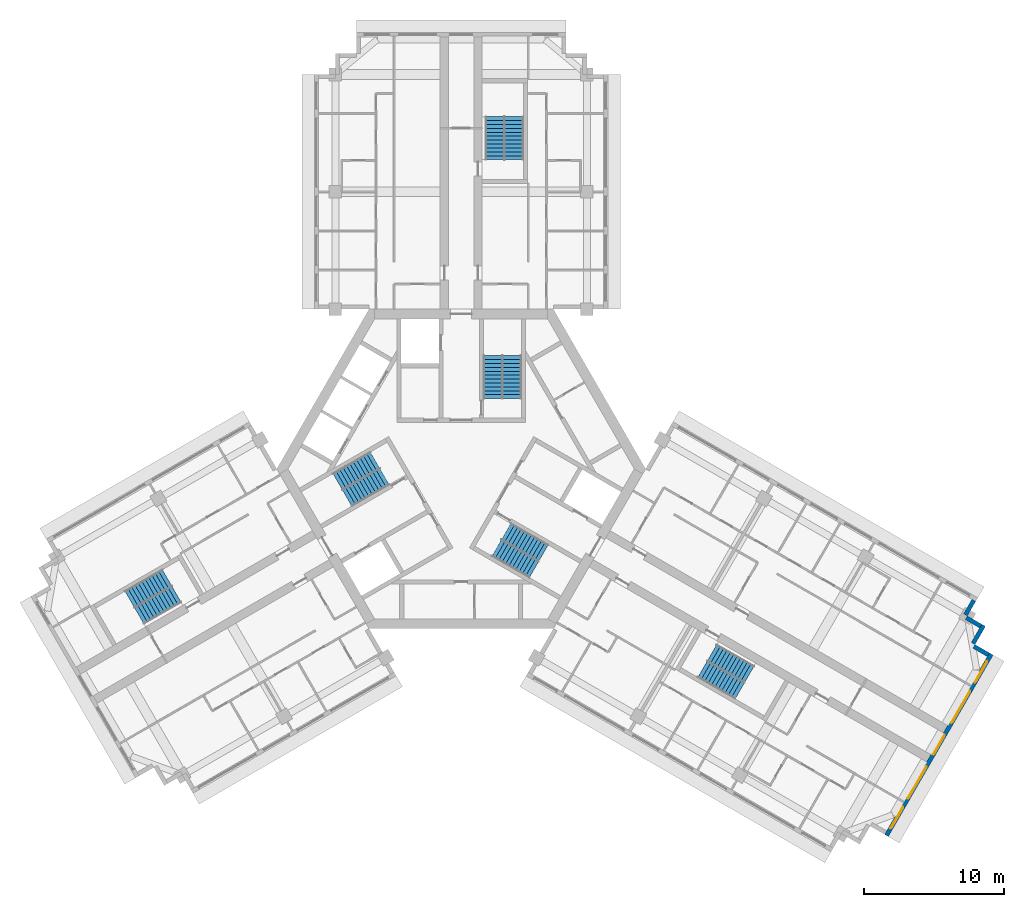
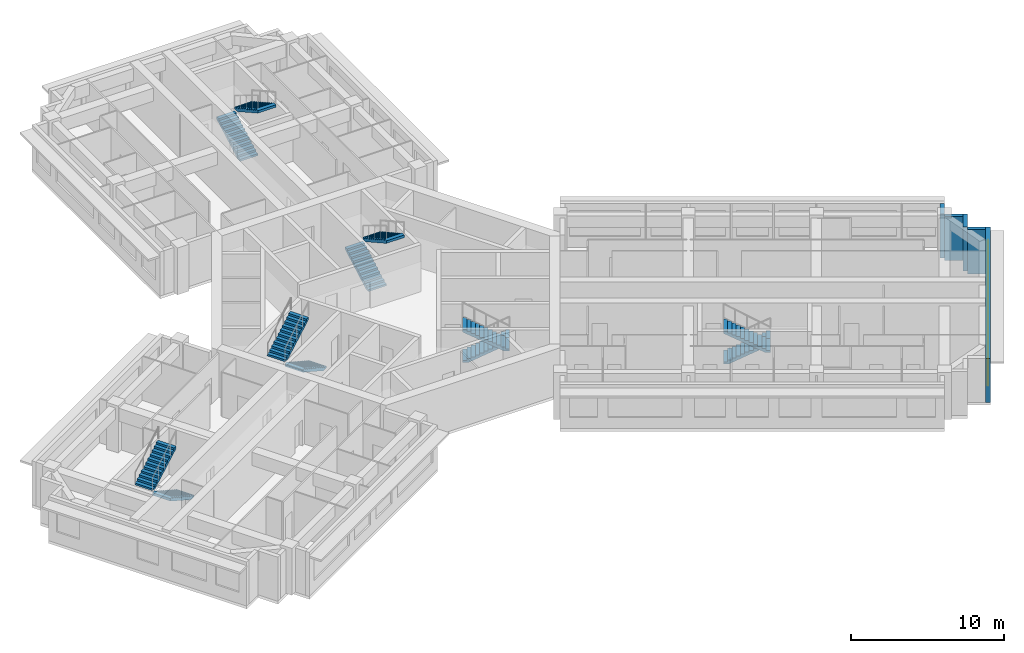
# One storey, part 9 of 10: 12 stair flights, 5 walls, 5 windows, 5 openings, 6 elements without a shape of their own.
"""IFC4 building model written with IfcOpenShell, lengths in metres."""

from ifc_helpers import new_model, si_unit, direction, frame, frame_2d, origin, place, context, subcontext, project, spatial, polyline, rectangle, outline, extrude, material, layer, layer_set, type_object, element, fill, aggregate, save


model = new_model("IFC4")

# Units and contexts
model_context = context("Model", 3, precision=1e-05, world=origin(), true_north=direction((0.0, 1.0)))
body_context = subcontext(model_context, "Body", "Model", "MODEL_VIEW")
ifc_project = project(units=[si_unit("LENGTHUNIT", "METRE"), si_unit("AREAUNIT", "SQUARE_METRE"), si_unit("VOLUMEUNIT", "CUBIC_METRE"), si_unit("PLANEANGLEUNIT", "RADIAN"), si_unit("MASSUNIT", "GRAM", prefix="KILO")], contexts=[model_context])

# Site, building, storey
site_placement = place(None, origin())
site = spatial("IfcSite", under=ifc_project, at=site_placement, CompositionType="ELEMENT")
building_placement = place(site_placement, origin())
building = spatial("IfcBuilding", under=site, at=building_placement, Name="Impinga Residences", CompositionType="ELEMENT")
storey_placement = place(building_placement, frame((0.0, 0.0, 241.0)))
storey = spatial("IfcBuildingStorey", under=building, at=storey_placement, Name="L60", CompositionType="ELEMENT", Elevation=241.0)

# Walls
ifc_material_1 = material(Name="Terracotta rainscreen on blockwork", Category="masonry")
ifc_layer = layer(ifc_material_1, 0.300048828125)
ifc_layer_set = layer_set([ifc_layer], Name="EW1 external wall, terracotta rainscreen on blockwork 300")
wall_type = type_object("IfcWallType", Name="EW1 external wall, terracotta rainscreen on blockwork 300", PredefinedType="SOLIDWALL", material=ifc_layer_set)
wall_1_placement = place(storey_placement, frame((36.69384765625, -9.4072265625, 0.0), z_axis=(0.0, 0.0, 1.0), x_axis=(-0.499880961361, -0.866094119867, 0.0)))
element("IfcWall", 1, at=wall_1_placement, inside=storey, type_object=wall_type, Name="External wall EW1 L60", PredefinedType="SOLIDWALL", context=body_context, shape_type="SweptSolid", body=[
    extrude(rectangle(XDim=1.199951171875, YDim=0.300048828125, at=frame_2d((0.60009765625, 0.0))), origin(), (0.0, 0.0, 1.0), 3.530029296875),
])
wall_2_placement = place(storey_placement, frame((36.153076171875, -10.654052734375, 0.0), z_axis=(0.0, 0.0, 1.0), x_axis=(0.866059708757, -0.499940577336, 0.0)))
element("IfcWall", 2, at=wall_2_placement, inside=storey, type_object=wall_type, Name="External wall EW1 L60", PredefinedType="SOLIDWALL", context=body_context, shape_type="SweptSolid", body=[
    extrude(rectangle(XDim=1.195068359375, YDim=0.300048828125, at=frame_2d((0.59765625, 0.0))), origin(), (0.0, 0.0, 1.0), 3.530029296875),
])
wall_3_placement = place(storey_placement, frame((37.39306640625, -11.196533203125, 0.0), z_axis=(0.0, 0.0, 1.0), x_axis=(-0.499990139034, -0.866031096941, 0.0)))
element("IfcWall", 3, at=wall_3_placement, inside=storey, type_object=wall_type, Name="External wall EW1 L60", PredefinedType="SOLIDWALL", context=body_context, shape_type="SweptSolid", body=[
    extrude(rectangle(XDim=1.5, YDim=0.300048828125, at=frame_2d((0.75, 0.0))), origin(), (0.0, 0.0, 1.0), 3.530029296875),
])
wall_4_placement = place(storey_placement, frame((36.7021484375, -12.702880859375, 0.0), z_axis=(0.0, 0.0, 1.0), x_axis=(0.865971243484, -0.500093796661, 0.0)))
element("IfcWall", 4, at=wall_4_placement, inside=storey, type_object=wall_type, Name="External wall EW1 L60", PredefinedType="SOLIDWALL", context=body_context, shape_type="SweptSolid", body=[
    extrude(rectangle(XDim=1.195068359375, YDim=0.300048828125, at=frame_2d((0.59765625, 0.0))), origin(), (0.0, 0.0, 1.0), 3.530029296875),
])

# Wall, openings, windows
wall_5_placement = place(storey_placement, frame((37.94189453125, -13.24560546875, 0.0), z_axis=(0.0, 0.0, 1.0), x_axis=(-0.500004234368, -0.866022959057, 0.0)))
wall_5 = element("IfcWall", 5, at=wall_5_placement, inside=storey, type_object=wall_type, Name="External wall EW1 L60", PredefinedType="SOLIDWALL", context=body_context, shape_type="SweptSolid", body=[
    extrude(rectangle(XDim=14.999755859375, YDim=0.300048828125, at=frame_2d((7.5, 0.0))), origin(), (0.0, 0.0, 1.0), 3.530029296875),
])
opening_1_placement = place(wall_5_placement, frame((0.60009765625, 0.0, 0.89990234375)))
opening_1 = element("IfcOpeningElement", 6, at=opening_1_placement, cuts=wall_5, Name="Opening W1", PredefinedType="OPENING", context=body_context, shape_type="SweptSolid", body=[
    extrude(rectangle(XDim=1.75, YDim=2.050048828125, at=frame_2d((0.875, 1.02490234375))), frame((0.0, 0.159912109375, 0.0), z_axis=(0.0, -1.0, 0.0), x_axis=(1.0, 0.0, 0.0)), (0.0, 0.0, 1.0), 0.320068359375),
])
opening_2_placement = place(wall_5_placement, frame((3.050048828125, 0.0, 0.89990234375)))
opening_2 = element("IfcOpeningElement", 7, at=opening_2_placement, cuts=wall_5, Name="Opening W18", PredefinedType="OPENING", context=body_context, shape_type="SweptSolid", body=[
    extrude(rectangle(XDim=2.64990234375, YDim=2.050048828125, at=frame_2d((1.324951171875, 1.02490234375))), frame((0.0, 0.159912109375, 0.0), z_axis=(0.0, -1.0, 0.0), x_axis=(1.0, 0.0, 0.0)), (0.0, 0.0, 1.0), 0.320068359375),
])
opening_3_placement = place(wall_5_placement, frame((6.699951171875, 0.0, 0.89990234375)))
opening_3 = element("IfcOpeningElement", 8, at=opening_3_placement, cuts=wall_5, Name="Opening W19", PredefinedType="OPENING", context=body_context, shape_type="SweptSolid", body=[
    extrude(rectangle(XDim=1.60009765625, YDim=2.050048828125, at=frame_2d((0.800048828125, 1.02490234375))), frame((0.0, 0.159912109375, 0.0), z_axis=(0.0, -1.0, 0.0), x_axis=(1.0, 0.0, 0.0)), (0.0, 0.0, 1.0), 0.320068359375),
])
opening_4_placement = place(wall_5_placement, frame((9.300048828125, 0.0, 0.89990234375)))
opening_4 = element("IfcOpeningElement", 9, at=opening_4_placement, cuts=wall_5, Name="Opening W18", PredefinedType="OPENING", context=body_context, shape_type="SweptSolid", body=[
    extrude(rectangle(XDim=2.64990234375, YDim=2.050048828125, at=frame_2d((1.324951171875, 1.02490234375))), frame((0.0, 0.159912109375, 0.0), z_axis=(0.0, -1.0, 0.0), x_axis=(1.0, 0.0, 0.0)), (0.0, 0.0, 1.0), 0.320068359375),
])
opening_5_placement = place(wall_5_placement, frame((12.64990234375, 0.0, 0.89990234375)))
opening_5 = element("IfcOpeningElement", 10, at=opening_5_placement, cuts=wall_5, Name="Opening W1", PredefinedType="OPENING", context=body_context, shape_type="SweptSolid", body=[
    extrude(rectangle(XDim=1.75, YDim=2.050048828125, at=frame_2d((0.875, 1.02490234375))), frame((0.0, 0.159912109375, 0.0), z_axis=(0.0, -1.0, 0.0), x_axis=(1.0, 0.0, 0.0)), (0.0, 0.0, 1.0), 0.320068359375),
])
ifc_material_2 = material(Name="Aluminium window, clear double glazing", Category="aluminium")
window_type_1 = type_object("IfcWindowType", Name="W1 ribbon window 1750x2050", PartitioningType="SINGLE_PANEL", PredefinedType="WINDOW", material=ifc_material_2)
window_1_placement = place(opening_1_placement, origin())
window_1 = element("IfcWindow", 11, at=window_1_placement, inside=storey, type_object=window_type_1, Name="Window L60", OverallHeight=2.050048828125, OverallWidth=1.75, PartitioningType="SINGLE_PANEL", PredefinedType="WINDOW", context=body_context, shape_type="SweptSolid", body=[
    extrude(rectangle(XDim=1.75, YDim=2.050048828125, at=frame_2d((0.875, 1.02490234375))), frame((0.0, 0.030029296875, 0.0), z_axis=(0.0, -1.0, 0.0), x_axis=(1.0, 0.0, 0.0)), (0.0, 0.0, 1.0), 0.06005859375),
])
fill(opening_1, window_1)
window_2_placement = place(opening_5_placement, origin())
window_2 = element("IfcWindow", 12, at=window_2_placement, inside=storey, type_object=window_type_1, Name="Window L60", OverallHeight=2.050048828125, OverallWidth=1.75, PartitioningType="SINGLE_PANEL", PredefinedType="WINDOW", context=body_context, shape_type="SweptSolid", body=[
    extrude(rectangle(XDim=1.75, YDim=2.050048828125, at=frame_2d((0.875, 1.02490234375))), frame((0.0, 0.030029296875, 0.0), z_axis=(0.0, -1.0, 0.0), x_axis=(1.0, 0.0, 0.0)), (0.0, 0.0, 1.0), 0.06005859375),
])
fill(opening_5, window_2)
window_type_2 = type_object("IfcWindowType", Name="W18 ribbon window 2650x2050", PartitioningType="SINGLE_PANEL", PredefinedType="WINDOW", material=ifc_material_2)
window_3_placement = place(opening_2_placement, origin())
window_3 = element("IfcWindow", 13, at=window_3_placement, inside=storey, type_object=window_type_2, Name="Window L60", OverallHeight=2.050048828125, OverallWidth=2.64990234375, PartitioningType="SINGLE_PANEL", PredefinedType="WINDOW", context=body_context, shape_type="SweptSolid", body=[
    extrude(rectangle(XDim=2.64990234375, YDim=2.050048828125, at=frame_2d((1.324951171875, 1.02490234375))), frame((0.0, 0.030029296875, 0.0), z_axis=(0.0, -1.0, 0.0), x_axis=(1.0, 0.0, 0.0)), (0.0, 0.0, 1.0), 0.06005859375),
])
fill(opening_2, window_3)
window_4_placement = place(opening_4_placement, origin())
window_4 = element("IfcWindow", 14, at=window_4_placement, inside=storey, type_object=window_type_2, Name="Window L60", OverallHeight=2.050048828125, OverallWidth=2.64990234375, PartitioningType="SINGLE_PANEL", PredefinedType="WINDOW", context=body_context, shape_type="SweptSolid", body=[
    extrude(rectangle(XDim=2.64990234375, YDim=2.050048828125, at=frame_2d((1.324951171875, 1.02490234375))), frame((0.0, 0.030029296875, 0.0), z_axis=(0.0, -1.0, 0.0), x_axis=(1.0, 0.0, 0.0)), (0.0, 0.0, 1.0), 0.06005859375),
])
fill(opening_4, window_4)
window_type_3 = type_object("IfcWindowType", Name="W19 ribbon window 1600x2050", PartitioningType="SINGLE_PANEL", PredefinedType="WINDOW", material=ifc_material_2)
window_5_placement = place(opening_3_placement, origin())
window_5 = element("IfcWindow", 15, at=window_5_placement, inside=storey, type_object=window_type_3, Name="Window L60", OverallHeight=2.050048828125, OverallWidth=1.60009765625, PartitioningType="SINGLE_PANEL", PredefinedType="WINDOW", context=body_context, shape_type="SweptSolid", body=[
    extrude(rectangle(XDim=1.60009765625, YDim=2.050048828125, at=frame_2d((0.800048828125, 1.02490234375))), frame((0.0, 0.030029296875, 0.0), z_axis=(0.0, -1.0, 0.0), x_axis=(1.0, 0.0, 0.0)), (0.0, 0.0, 1.0), 0.06005859375),
])
fill(opening_3, window_5)

# Stair, stair flights
ifc_material_3 = material(Name="Concrete C40/50", Category="concrete")
stair_type_1 = type_object("IfcStairType", Name="STR core stair 3750 storey, 24 risers", PredefinedType="HALF_TURN_STAIR", material=ifc_material_3)
stair_1_placement = place(storey_placement, origin())
stair_1 = element("IfcStair", 16, at=stair_1_placement, inside=storey, type_object=stair_type_1, Name="Stair ST1 L60", PredefinedType="HALF_TURN_STAIR")
stair_flight_type = type_object("IfcStairFlightType", Name="SF 12 risers of 156", PredefinedType="STRAIGHT", material=ifc_material_3)
stair_flight_1_placement = place(storey_placement, frame((2.27490234375, 5.030029296875, 0.0), z_axis=(0.0, 0.0, 1.0), x_axis=(0.0, 1.0, 0.0)))
stair_flight_1 = element("IfcStairFlight", 17, at=stair_flight_1_placement, type_object=stair_flight_type, Name="ST1 flight 1", NumberOfRisers=12, NumberOfTreads=11, PredefinedType="STRAIGHT", RiserHeight=0.15625, TreadLength=0.28, context=body_context, shape_type="SweptSolid", body=[
    extrude(outline(polyline([(0.0, 0.0), (0.0, 0.15625), (0.280029296875, 0.15625), (0.280029296875, 0.3125), (0.56005859375, 0.3125), (0.56005859375, 0.46875), (0.840087890625, 0.46875), (0.840087890625, 0.625), (1.1201171875, 0.625), (1.1201171875, 0.78125), (1.39990234375, 0.78125), (1.39990234375, 0.9375), (1.679931640625, 0.9375), (1.679931640625, 1.09375), (1.9599609375, 1.09375), (1.9599609375, 1.25), (2.239990234375, 1.25), (2.239990234375, 1.40625), (2.52001953125, 1.40625), (2.52001953125, 1.5625), (2.800048828125, 1.5625), (2.800048828125, 1.71875), (3.080078125, 1.71875), (3.080078125, 1.875), (3.080078125, 1.5126953125), (0.369140625, 0.0), (0.0, 0.0)])), frame((0.0, 0.675048828125, 0.0), z_axis=(0.0, -1.0, 0.0), x_axis=(1.0, 0.0, 0.0)), (0.0, 0.0, 1.0), 1.35009765625),
])
stair_flight_2_placement = place(storey_placement, frame((3.625, 8.110107421875, 1.875), z_axis=(0.0, 0.0, 1.0), x_axis=(0.0, -1.0, 0.0)))
stair_flight_2 = element("IfcStairFlight", 18, at=stair_flight_2_placement, type_object=stair_flight_type, Name="ST1 flight 2", NumberOfRisers=12, NumberOfTreads=11, PredefinedType="STRAIGHT", RiserHeight=0.15625, TreadLength=0.28, context=body_context, shape_type="SweptSolid", body=[
    extrude(outline(polyline([(0.0, 0.0), (0.0, 0.15625), (0.280029296875, 0.15625), (0.280029296875, 0.3125), (0.56005859375, 0.3125), (0.56005859375, 0.46875), (0.840087890625, 0.46875), (0.840087890625, 0.625), (1.1201171875, 0.625), (1.1201171875, 0.78125), (1.39990234375, 0.78125), (1.39990234375, 0.9375), (1.679931640625, 0.9375), (1.679931640625, 1.09375), (1.9599609375, 1.09375), (1.9599609375, 1.25), (2.239990234375, 1.25), (2.239990234375, 1.40625), (2.52001953125, 1.40625), (2.52001953125, 1.5625), (2.800048828125, 1.5625), (2.800048828125, 1.71875), (3.080078125, 1.71875), (3.080078125, 1.875), (3.080078125, 1.5126953125), (0.369140625, 0.0), (0.0, 0.0)])), frame((0.0, 0.675048828125, 0.0), z_axis=(0.0, -1.0, 0.0), x_axis=(1.0, 0.0, 0.0)), (0.0, 0.0, 1.0), 1.35009765625),
])
aggregate(stair_1, [stair_flight_1, stair_flight_2])

stair_2_placement = place(storey_placement, origin())
stair_2 = element("IfcStair", 19, at=stair_2_placement, inside=storey, type_object=stair_type_1, Name="Stair ST2 L60", PredefinedType="HALF_TURN_STAIR")
stair_flight_3_placement = place(storey_placement, frame((-5.49365234375, -0.544677734375, 0.0), z_axis=(0.0, 0.0, 1.0), x_axis=(-0.866025403784, -0.5, 0.0)))
stair_flight_3 = element("IfcStairFlight", 20, at=stair_flight_3_placement, type_object=stair_flight_type, Name="ST2 flight 1", NumberOfRisers=12, NumberOfTreads=11, PredefinedType="STRAIGHT", RiserHeight=0.15625, TreadLength=0.28, context=body_context, shape_type="SweptSolid", body=[
    extrude(outline(polyline([(0.0, 0.0), (0.0, 0.15625), (0.280029296875, 0.15625), (0.280029296875, 0.3125), (0.56005859375, 0.3125), (0.56005859375, 0.46875), (0.840087890625, 0.46875), (0.840087890625, 0.625), (1.1201171875, 0.625), (1.1201171875, 0.78125), (1.39990234375, 0.78125), (1.39990234375, 0.9375), (1.679931640625, 0.9375), (1.679931640625, 1.09375), (1.9599609375, 1.09375), (1.9599609375, 1.25), (2.239990234375, 1.25), (2.239990234375, 1.40625), (2.52001953125, 1.40625), (2.52001953125, 1.5625), (2.800048828125, 1.5625), (2.800048828125, 1.71875), (3.080078125, 1.71875), (3.080078125, 1.875), (3.080078125, 1.5126953125), (0.369140625, 0.0), (0.0, 0.0)])), frame((0.0, 0.675048828125, 0.0), z_axis=(0.0, -1.0, 0.0), x_axis=(1.0, 0.0, 0.0)), (0.0, 0.0, 1.0), 1.35009765625),
])
stair_flight_4_placement = place(storey_placement, frame((-8.8359375, -0.915771484375, 1.875), z_axis=(0.0, 0.0, 1.0), x_axis=(0.866025403784, 0.5, 0.0)))
stair_flight_4 = element("IfcStairFlight", 21, at=stair_flight_4_placement, type_object=stair_flight_type, Name="ST2 flight 2", NumberOfRisers=12, NumberOfTreads=11, PredefinedType="STRAIGHT", RiserHeight=0.15625, TreadLength=0.28, context=body_context, shape_type="SweptSolid", body=[
    extrude(outline(polyline([(0.0, 0.0), (0.0, 0.15625), (0.280029296875, 0.15625), (0.280029296875, 0.3125), (0.56005859375, 0.3125), (0.56005859375, 0.46875), (0.840087890625, 0.46875), (0.840087890625, 0.625), (1.1201171875, 0.625), (1.1201171875, 0.78125), (1.39990234375, 0.78125), (1.39990234375, 0.9375), (1.679931640625, 0.9375), (1.679931640625, 1.09375), (1.9599609375, 1.09375), (1.9599609375, 1.25), (2.239990234375, 1.25), (2.239990234375, 1.40625), (2.52001953125, 1.40625), (2.52001953125, 1.5625), (2.800048828125, 1.5625), (2.800048828125, 1.71875), (3.080078125, 1.71875), (3.080078125, 1.875), (3.080078125, 1.5126953125), (0.369140625, 0.0), (0.0, 0.0)])), frame((0.0, 0.675048828125, 0.0), z_axis=(0.0, -1.0, 0.0), x_axis=(1.0, 0.0, 0.0)), (0.0, 0.0, 1.0), 1.35009765625),
])
aggregate(stair_2, [stair_flight_3, stair_flight_4])

stair_3_placement = place(storey_placement, origin())
stair_3 = element("IfcStair", 22, at=stair_3_placement, inside=storey, type_object=stair_type_1, Name="Stair ST3 L60", PredefinedType="HALF_TURN_STAIR")
stair_flight_5_placement = place(storey_placement, frame((3.218505859375, -4.485107421875, 0.0), z_axis=(0.0, 0.0, 1.0), x_axis=(0.866025403784, -0.5, 0.0)))
stair_flight_5 = element("IfcStairFlight", 23, at=stair_flight_5_placement, type_object=stair_flight_type, Name="ST3 flight 1", NumberOfRisers=12, NumberOfTreads=11, PredefinedType="STRAIGHT", RiserHeight=0.15625, TreadLength=0.28, context=body_context, shape_type="SweptSolid", body=[
    extrude(outline(polyline([(0.0, 0.0), (0.0, 0.15625), (0.280029296875, 0.15625), (0.280029296875, 0.3125), (0.56005859375, 0.3125), (0.56005859375, 0.46875), (0.840087890625, 0.46875), (0.840087890625, 0.625), (1.1201171875, 0.625), (1.1201171875, 0.78125), (1.39990234375, 0.78125), (1.39990234375, 0.9375), (1.679931640625, 0.9375), (1.679931640625, 1.09375), (1.9599609375, 1.09375), (1.9599609375, 1.25), (2.239990234375, 1.25), (2.239990234375, 1.40625), (2.52001953125, 1.40625), (2.52001953125, 1.5625), (2.800048828125, 1.5625), (2.800048828125, 1.71875), (3.080078125, 1.71875), (3.080078125, 1.875), (3.080078125, 1.5126953125), (0.369140625, 0.0), (0.0, 0.0)])), frame((0.0, 0.675048828125, 0.0), z_axis=(0.0, -1.0, 0.0), x_axis=(1.0, 0.0, 0.0)), (0.0, 0.0, 1.0), 1.35009765625),
])
stair_flight_6_placement = place(storey_placement, frame((5.2109375, -7.1943359375, 1.875), z_axis=(0.0, 0.0, 1.0), x_axis=(-0.866025403784, 0.5, 0.0)))
stair_flight_6 = element("IfcStairFlight", 24, at=stair_flight_6_placement, type_object=stair_flight_type, Name="ST3 flight 2", NumberOfRisers=12, NumberOfTreads=11, PredefinedType="STRAIGHT", RiserHeight=0.15625, TreadLength=0.28, context=body_context, shape_type="SweptSolid", body=[
    extrude(outline(polyline([(0.0, 0.0), (0.0, 0.15625), (0.280029296875, 0.15625), (0.280029296875, 0.3125), (0.56005859375, 0.3125), (0.56005859375, 0.46875), (0.840087890625, 0.46875), (0.840087890625, 0.625), (1.1201171875, 0.625), (1.1201171875, 0.78125), (1.39990234375, 0.78125), (1.39990234375, 0.9375), (1.679931640625, 0.9375), (1.679931640625, 1.09375), (1.9599609375, 1.09375), (1.9599609375, 1.25), (2.239990234375, 1.25), (2.239990234375, 1.40625), (2.52001953125, 1.40625), (2.52001953125, 1.5625), (2.800048828125, 1.5625), (2.800048828125, 1.71875), (3.080078125, 1.71875), (3.080078125, 1.875), (3.080078125, 1.5126953125), (0.369140625, 0.0), (0.0, 0.0)])), frame((0.0, 0.675048828125, 0.0), z_axis=(0.0, -1.0, 0.0), x_axis=(1.0, 0.0, 0.0)), (0.0, 0.0, 1.0), 1.35009765625),
])
aggregate(stair_3, [stair_flight_5, stair_flight_6])

stair_type_2 = type_object("IfcStairType", Name="STR wing stair 3750 storey, 24 risers", PredefinedType="HALF_TURN_STAIR", material=ifc_material_3)
stair_4_placement = place(storey_placement, origin())
stair_4 = element("IfcStair", 25, at=stair_4_placement, inside=storey, type_object=stair_type_2, Name="Stair WS1 L60", PredefinedType="HALF_TURN_STAIR")
stair_flight_7_placement = place(storey_placement, frame((2.425048828125, 22.131591796875, 0.0), z_axis=(0.0, 0.0, 1.0), x_axis=(0.0, 1.0, 0.0)))
stair_flight_7 = element("IfcStairFlight", 26, at=stair_flight_7_placement, type_object=stair_flight_type, Name="WS1 flight 1", NumberOfRisers=12, NumberOfTreads=11, PredefinedType="STRAIGHT", RiserHeight=0.15625, TreadLength=0.28, context=body_context, shape_type="SweptSolid", body=[
    extrude(outline(polyline([(0.0, 0.0), (0.0, 0.15625), (0.280029296875, 0.15625), (0.280029296875, 0.3125), (0.56005859375, 0.3125), (0.56005859375, 0.46875), (0.840087890625, 0.46875), (0.840087890625, 0.625), (1.1201171875, 0.625), (1.1201171875, 0.78125), (1.39990234375, 0.78125), (1.39990234375, 0.9375), (1.679931640625, 0.9375), (1.679931640625, 1.09375), (1.9599609375, 1.09375), (1.9599609375, 1.25), (2.239990234375, 1.25), (2.239990234375, 1.40625), (2.52001953125, 1.40625), (2.52001953125, 1.5625), (2.800048828125, 1.5625), (2.800048828125, 1.71875), (3.080078125, 1.71875), (3.080078125, 1.875), (3.080078125, 1.5126953125), (0.369140625, 0.0), (0.0, 0.0)])), frame((0.0, 0.675048828125, 0.0), z_axis=(0.0, -1.0, 0.0), x_axis=(1.0, 0.0, 0.0)), (0.0, 0.0, 1.0), 1.35009765625),
])
stair_flight_8_placement = place(storey_placement, frame((3.77490234375, 25.21142578125, 1.875), z_axis=(0.0, 0.0, 1.0), x_axis=(0.0, -1.0, 0.0)))
stair_flight_8 = element("IfcStairFlight", 27, at=stair_flight_8_placement, type_object=stair_flight_type, Name="WS1 flight 2", NumberOfRisers=12, NumberOfTreads=11, PredefinedType="STRAIGHT", RiserHeight=0.15625, TreadLength=0.28, context=body_context, shape_type="SweptSolid", body=[
    extrude(outline(polyline([(0.0, 0.0), (0.0, 0.15625), (0.280029296875, 0.15625), (0.280029296875, 0.3125), (0.56005859375, 0.3125), (0.56005859375, 0.46875), (0.840087890625, 0.46875), (0.840087890625, 0.625), (1.1201171875, 0.625), (1.1201171875, 0.78125), (1.39990234375, 0.78125), (1.39990234375, 0.9375), (1.679931640625, 0.9375), (1.679931640625, 1.09375), (1.9599609375, 1.09375), (1.9599609375, 1.25), (2.239990234375, 1.25), (2.239990234375, 1.40625), (2.52001953125, 1.40625), (2.52001953125, 1.5625), (2.800048828125, 1.5625), (2.800048828125, 1.71875), (3.080078125, 1.71875), (3.080078125, 1.875), (3.080078125, 1.5126953125), (0.369140625, 0.0), (0.0, 0.0)])), frame((0.0, 0.675048828125, 0.0), z_axis=(0.0, -1.0, 0.0), x_axis=(1.0, 0.0, 0.0)), (0.0, 0.0, 1.0), 1.35009765625),
])
aggregate(stair_4, [stair_flight_7, stair_flight_8])

stair_5_placement = place(storey_placement, origin())
stair_5 = element("IfcStair", 28, at=stair_5_placement, inside=storey, type_object=stair_type_2, Name="Stair WS2 L60", PredefinedType="HALF_TURN_STAIR")
stair_flight_9_placement = place(storey_placement, frame((-20.37890625, -8.965576171875, 0.0), z_axis=(0.0, 0.0, 1.0), x_axis=(-0.866025403784, -0.5, 0.0)))
stair_flight_9 = element("IfcStairFlight", 29, at=stair_flight_9_placement, type_object=stair_flight_type, Name="WS2 flight 1", NumberOfRisers=12, NumberOfTreads=11, PredefinedType="STRAIGHT", RiserHeight=0.15625, TreadLength=0.28, context=body_context, shape_type="SweptSolid", body=[
    extrude(outline(polyline([(0.0, 0.0), (0.0, 0.15625), (0.280029296875, 0.15625), (0.280029296875, 0.3125), (0.56005859375, 0.3125), (0.56005859375, 0.46875), (0.840087890625, 0.46875), (0.840087890625, 0.625), (1.1201171875, 0.625), (1.1201171875, 0.78125), (1.39990234375, 0.78125), (1.39990234375, 0.9375), (1.679931640625, 0.9375), (1.679931640625, 1.09375), (1.9599609375, 1.09375), (1.9599609375, 1.25), (2.239990234375, 1.25), (2.239990234375, 1.40625), (2.52001953125, 1.40625), (2.52001953125, 1.5625), (2.800048828125, 1.5625), (2.800048828125, 1.71875), (3.080078125, 1.71875), (3.080078125, 1.875), (3.080078125, 1.5126953125), (0.369140625, 0.0), (0.0, 0.0)])), frame((0.0, 0.675048828125, 0.0), z_axis=(0.0, -1.0, 0.0), x_axis=(1.0, 0.0, 0.0)), (0.0, 0.0, 1.0), 1.35009765625),
])
stair_flight_10_placement = place(storey_placement, frame((-23.721435546875, -9.33642578125, 1.875), z_axis=(0.0, 0.0, 1.0), x_axis=(0.866025403784, 0.5, 0.0)))
stair_flight_10 = element("IfcStairFlight", 30, at=stair_flight_10_placement, type_object=stair_flight_type, Name="WS2 flight 2", NumberOfRisers=12, NumberOfTreads=11, PredefinedType="STRAIGHT", RiserHeight=0.15625, TreadLength=0.28, context=body_context, shape_type="SweptSolid", body=[
    extrude(outline(polyline([(0.0, 0.0), (0.0, 0.15625), (0.280029296875, 0.15625), (0.280029296875, 0.3125), (0.56005859375, 0.3125), (0.56005859375, 0.46875), (0.840087890625, 0.46875), (0.840087890625, 0.625), (1.1201171875, 0.625), (1.1201171875, 0.78125), (1.39990234375, 0.78125), (1.39990234375, 0.9375), (1.679931640625, 0.9375), (1.679931640625, 1.09375), (1.9599609375, 1.09375), (1.9599609375, 1.25), (2.239990234375, 1.25), (2.239990234375, 1.40625), (2.52001953125, 1.40625), (2.52001953125, 1.5625), (2.800048828125, 1.5625), (2.800048828125, 1.71875), (3.080078125, 1.71875), (3.080078125, 1.875), (3.080078125, 1.5126953125), (0.369140625, 0.0), (0.0, 0.0)])), frame((0.0, 0.675048828125, 0.0), z_axis=(0.0, -1.0, 0.0), x_axis=(1.0, 0.0, 0.0)), (0.0, 0.0, 1.0), 1.35009765625),
])
aggregate(stair_5, [stair_flight_9, stair_flight_10])

stair_6_placement = place(storey_placement, origin())
stair_6 = element("IfcStair", 31, at=stair_6_placement, inside=storey, type_object=stair_type_2, Name="Stair WS3 L60", PredefinedType="HALF_TURN_STAIR")
stair_flight_11_placement = place(storey_placement, frame((17.953857421875, -13.165771484375, 0.0), z_axis=(0.0, 0.0, 1.0), x_axis=(0.866025403784, -0.5, 0.0)))
stair_flight_11 = element("IfcStairFlight", 32, at=stair_flight_11_placement, type_object=stair_flight_type, Name="WS3 flight 1", NumberOfRisers=12, NumberOfTreads=11, PredefinedType="STRAIGHT", RiserHeight=0.15625, TreadLength=0.28, context=body_context, shape_type="SweptSolid", body=[
    extrude(outline(polyline([(0.0, 0.0), (0.0, 0.15625), (0.280029296875, 0.15625), (0.280029296875, 0.3125), (0.56005859375, 0.3125), (0.56005859375, 0.46875), (0.840087890625, 0.46875), (0.840087890625, 0.625), (1.1201171875, 0.625), (1.1201171875, 0.78125), (1.39990234375, 0.78125), (1.39990234375, 0.9375), (1.679931640625, 0.9375), (1.679931640625, 1.09375), (1.9599609375, 1.09375), (1.9599609375, 1.25), (2.239990234375, 1.25), (2.239990234375, 1.40625), (2.52001953125, 1.40625), (2.52001953125, 1.5625), (2.800048828125, 1.5625), (2.800048828125, 1.71875), (3.080078125, 1.71875), (3.080078125, 1.875), (3.080078125, 1.5126953125), (0.369140625, 0.0), (0.0, 0.0)])), frame((0.0, 0.675048828125, 0.0), z_axis=(0.0, -1.0, 0.0), x_axis=(1.0, 0.0, 0.0)), (0.0, 0.0, 1.0), 1.35009765625),
])
stair_flight_12_placement = place(storey_placement, frame((19.9462890625, -15.875, 1.875), z_axis=(0.0, 0.0, 1.0), x_axis=(-0.866025403784, 0.5, 0.0)))
stair_flight_12 = element("IfcStairFlight", 33, at=stair_flight_12_placement, type_object=stair_flight_type, Name="WS3 flight 2", NumberOfRisers=12, NumberOfTreads=11, PredefinedType="STRAIGHT", RiserHeight=0.15625, TreadLength=0.28, context=body_context, shape_type="SweptSolid", body=[
    extrude(outline(polyline([(0.0, 0.0), (0.0, 0.15625), (0.280029296875, 0.15625), (0.280029296875, 0.3125), (0.56005859375, 0.3125), (0.56005859375, 0.46875), (0.840087890625, 0.46875), (0.840087890625, 0.625), (1.1201171875, 0.625), (1.1201171875, 0.78125), (1.39990234375, 0.78125), (1.39990234375, 0.9375), (1.679931640625, 0.9375), (1.679931640625, 1.09375), (1.9599609375, 1.09375), (1.9599609375, 1.25), (2.239990234375, 1.25), (2.239990234375, 1.40625), (2.52001953125, 1.40625), (2.52001953125, 1.5625), (2.800048828125, 1.5625), (2.800048828125, 1.71875), (3.080078125, 1.71875), (3.080078125, 1.875), (3.080078125, 1.5126953125), (0.369140625, 0.0), (0.0, 0.0)])), frame((0.0, 0.675048828125, 0.0), z_axis=(0.0, -1.0, 0.0), x_axis=(1.0, 0.0, 0.0)), (0.0, 0.0, 1.0), 1.35009765625),
])
aggregate(stair_6, [stair_flight_11, stair_flight_12])

save(model, "model.ifc")
